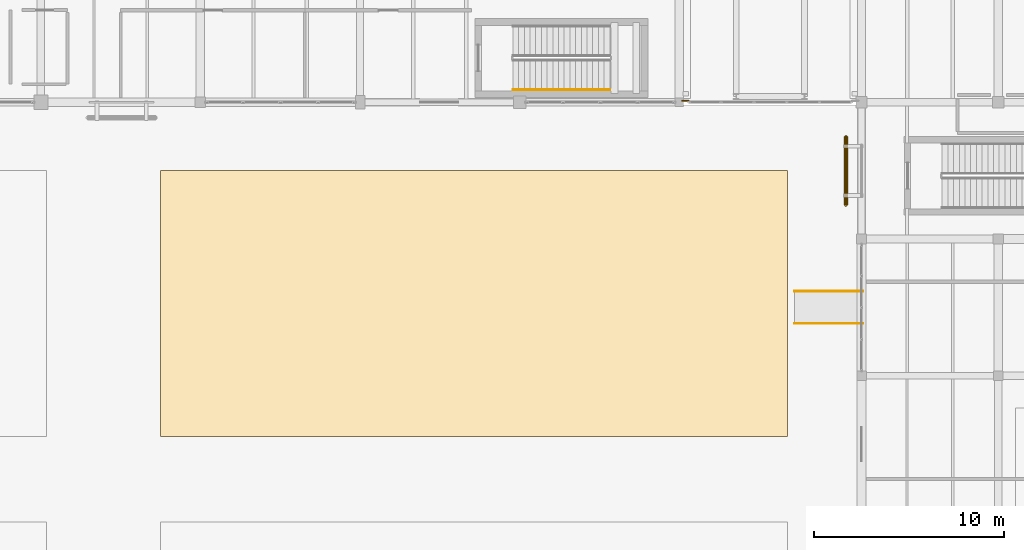
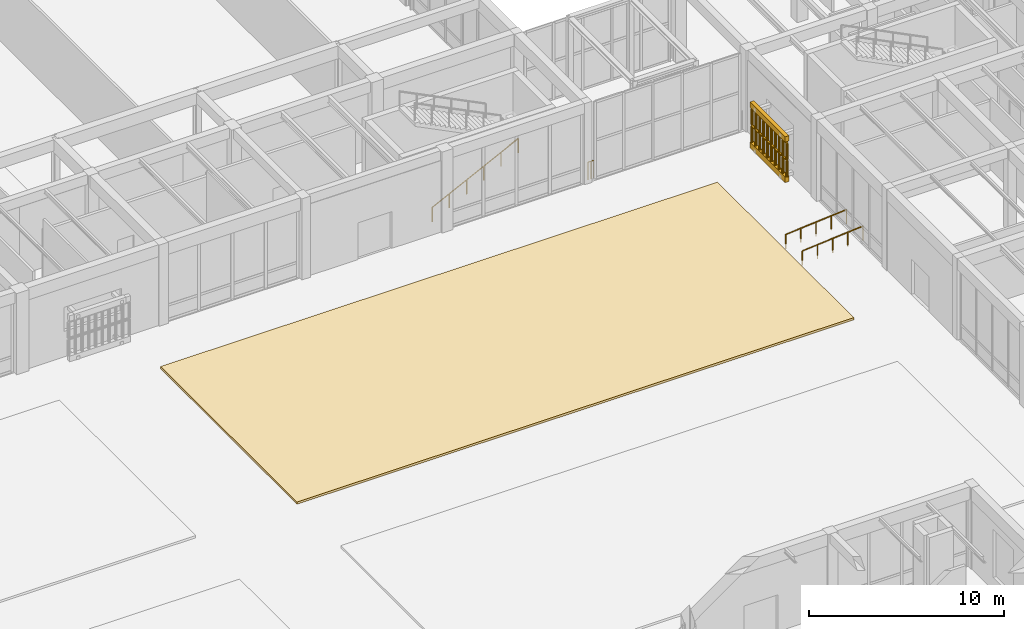
# One storey, part 157 of 169: 6 railings, 3 coverings.
"""IFC4 building model written with IfcOpenShell, lengths in metres."""

from ifc_helpers import new_model, si_unit, direction, frame, origin, origin_2d, place, context, subcontext, project, spatial, polyline, circle, outline, extrude, material, layer, layer_set, type_object, element, save


model = new_model("IFC4")

# Units and contexts
model_context = context("Model", 3, precision=1e-05, world=origin(), true_north=direction((0.0, 1.0)))
body_context = subcontext(model_context, "Body", "Model", "MODEL_VIEW")
ifc_project = project(units=[si_unit("LENGTHUNIT", "METRE"), si_unit("AREAUNIT", "SQUARE_METRE"), si_unit("VOLUMEUNIT", "CUBIC_METRE"), si_unit("PLANEANGLEUNIT", "RADIAN"), si_unit("MASSUNIT", "GRAM", prefix="KILO")], contexts=[model_context])

# Site, building, storey
site_placement = place(None, origin())
site = spatial("IfcSite", under=ifc_project, at=site_placement, CompositionType="ELEMENT")
building_placement = place(site_placement, origin())
building = spatial("IfcBuilding", under=site, at=building_placement, Name="Mazaris Harbour Polytechnic", CompositionType="ELEMENT")
storey_placement = place(building_placement, origin())
storey = spatial("IfcBuildingStorey", under=building, at=storey_placement, Name="L00", CompositionType="ELEMENT", Elevation=0.0)

# Railings
ifc_material_1 = material(Name="Stainless Steel S355", Category="steel")
railing_type_1 = type_object("IfcRailingType", Name="Accessible Ramp Handrail 900", PredefinedType="HANDRAIL", material=ifc_material_1)
for number, where, name in (
    (1, (118.8798828125, 65.64990234375, -0.300048828125), "RAMP-04 Handrail L"),
    (2, (118.8798828125, 63.949951171875, -0.300048828125), "RAMP-04 Handrail R"),
):
    element("IfcRailing", number, at=place(storey_placement, frame(where)), inside=storey, type_object=railing_type_1, Name=name, PredefinedType="HANDRAIL", context=body_context, shape_type="SweptSolid", body=[
        extrude(circle(Radius=0.02392578125, at=origin_2d()), frame((0.0, 0.0, 0.8759765625), z_axis=(0.996544826035, 0.0, 0.083056665618), x_axis=(0.0, 1.0, 0.0)), (0.0, 0.0, 1.0), 3.612548828125),
        extrude(circle(Radius=0.02099609375, at=origin_2d()), origin(), (0.0, 0.0, 1.0), 0.851806640625),
        extrude(circle(Radius=0.02099609375, at=origin_2d()), frame((0.89990234375, 0.0, 0.074951171875)), (0.0, 0.0, 1.0), 0.851806640625),
        extrude(circle(Radius=0.02099609375, at=origin_2d()), frame((1.800048828125, 0.0, 0.14990234375)), (0.0, 0.0, 1.0), 0.851806640625),
        extrude(circle(Radius=0.02099609375, at=origin_2d()), frame((2.7001953125, 0.0, 0.22509765625)), (0.0, 0.0, 1.0), 0.851806640625),
        extrude(circle(Radius=0.02099609375, at=origin_2d()), frame((3.60009765625, 0.0, 0.300048828125)), (0.0, 0.0, 1.0), 0.851806640625),
    ])
ifc_material_2 = material(Name="Steel S355", Category="steel")
railing_type_2 = type_object("IfcRailingType", Name="Mezzanine Steel Guardrail 1100 Exterior", PredefinedType="GUARDRAIL", material=ifc_material_2)
railing_1_placement = place(storey_placement, frame((112.949951171875, 75.679931640625, 0.0)))
element("IfcRailing", 3, at=railing_1_placement, inside=storey, type_object=railing_type_2, Name="PB-E2 L00 Bridge End Guard W0", PredefinedType="GUARDRAIL", context=body_context, shape_type="SweptSolid", body=[
    extrude(circle(Radius=0.02392578125, at=origin_2d()), frame((0.0, 0.0, 1.09619140625), z_axis=(1.0, 0.0, 0.0), x_axis=(0.0, 1.0, 0.0)), (0.0, 0.0, 1.0), 0.35009765625),
    extrude(circle(Radius=0.02099609375, at=origin_2d()), origin(), (0.0, 0.0, 1.0), 1.072021484375),
    extrude(circle(Radius=0.02099609375, at=origin_2d()), frame((0.175048828125, 0.0, 0.0)), (0.0, 0.0, 1.0), 1.072021484375),
    extrude(circle(Radius=0.02099609375, at=origin_2d()), frame((0.35009765625, 0.0, 0.0)), (0.0, 0.0, 1.0), 1.072021484375),
])
ifc_material_3 = material(Name="Perforated Earth-Coloured Terracotta Block", Category="masonry")
railing_type_3 = type_object("IfcRailingType", Name="Perforated Earth-Block Claustra Lattice 1040", PredefinedType="BALUSTRADE", material=ifc_material_3)
for number, where, name in (
    (4, (121.580078125, 70.1875, 0.52001953125), "V5 L00 Lower Perforated Terracotta Block Screen 360"),
    (5, (121.580078125, 70.1875, 1.610107421875), "V5 L00 Upper Perforated Terracotta Block Screen 360"),
):
    element("IfcRailing", number, at=place(storey_placement, frame(where)), inside=storey, type_object=railing_type_3, Name=name, PredefinedType="BALUSTRADE", context=body_context, shape_type="SweptSolid", body=[
        extrude(circle(Radius=0.06982421875, at=origin_2d()), frame((0.0, 0.0, 1.02001953125), z_axis=(0.0, 1.0, 0.0), x_axis=(-1.0, 0.0, 0.0)), (0.0, 0.0, 1.0), 3.60009765625),
        extrude(circle(Radius=0.074951171875, at=origin_2d()), origin(), (0.0, 0.0, 1.0), 0.9501953125),
        extrude(circle(Radius=0.074951171875, at=origin_2d()), frame((0.0, 0.39990234375, 0.0)), (0.0, 0.0, 1.0), 0.9501953125),
        extrude(circle(Radius=0.074951171875, at=origin_2d()), frame((0.0, 0.800048828125, 0.0)), (0.0, 0.0, 1.0), 0.9501953125),
        extrude(circle(Radius=0.074951171875, at=origin_2d()), frame((0.0, 1.199951171875, 0.0)), (0.0, 0.0, 1.0), 0.9501953125),
        extrude(circle(Radius=0.074951171875, at=origin_2d()), frame((0.0, 1.60009765625, 0.0)), (0.0, 0.0, 1.0), 0.9501953125),
        extrude(circle(Radius=0.074951171875, at=origin_2d()), frame((0.0, 2.0, 0.0)), (0.0, 0.0, 1.0), 0.9501953125),
        extrude(circle(Radius=0.074951171875, at=origin_2d()), frame((0.0, 2.400146484375, 0.0)), (0.0, 0.0, 1.0), 0.9501953125),
        extrude(circle(Radius=0.074951171875, at=origin_2d()), frame((0.0, 2.800048828125, 0.0)), (0.0, 0.0, 1.0), 0.9501953125),
        extrude(circle(Radius=0.074951171875, at=origin_2d()), frame((0.0, 3.2001953125, 0.0)), (0.0, 0.0, 1.0), 0.9501953125),
        extrude(circle(Radius=0.074951171875, at=origin_2d()), frame((0.0, 3.60009765625, 0.0)), (0.0, 0.0, 1.0), 0.9501953125),
    ])
ifc_material_4 = material(Name="Stainless Steel S355", Category="steel")
railing_type_4 = type_object("IfcRailingType", Name="Stair Wall Handrail 900", PredefinedType="HANDRAIL", material=ifc_material_4)
railing_2_placement = place(storey_placement, frame((104.050048828125, 76.25, 0.14990234375)))
element("IfcRailing", 6, at=railing_2_placement, inside=storey, type_object=railing_type_4, Name="L00 ST02 stair handrail 1", PredefinedType="HANDRAIL", context=body_context, shape_type="SweptSolid", body=[
    extrude(circle(Radius=0.02392578125, at=origin_2d()), frame((0.0, 0.0, 0.8759765625), z_axis=(0.894418627299, 0.0, 0.447230722492), x_axis=(0.0, 1.0, 0.0)), (0.0, 0.0, 1.0), 5.701904296875),
    extrude(circle(Radius=0.02099609375, at=origin_2d()), origin(), (0.0, 0.0, 1.0), 0.851806640625),
    extrude(circle(Radius=0.02099609375, at=origin_2d()), frame((1.02001953125, 0.0, 0.510009765625)), (0.0, 0.0, 1.0), 0.851806640625),
    extrude(circle(Radius=0.02099609375, at=origin_2d()), frame((2.0400390625, 0.0, 1.02001953125)), (0.0, 0.0, 1.0), 0.851806640625),
    extrude(circle(Radius=0.02099609375, at=origin_2d()), frame((3.059814453125, 0.0, 1.530029296875)), (0.0, 0.0, 1.0), 0.851806640625),
    extrude(circle(Radius=0.02099609375, at=origin_2d()), frame((4.079833984375, 0.0, 2.0400390625)), (0.0, 0.0, 1.0), 0.851806640625),
    extrude(circle(Radius=0.02099609375, at=origin_2d()), frame((5.099853515625, 0.0, 2.550048828125)), (0.0, 0.0, 1.0), 0.851806640625),
])

# Coverings
ifc_material_5 = material(Name="Patinated Standing-Seam Zinc")
ifc_layer_1 = layer(ifc_material_5, 0.044921875, Name="Patinated Standing-Seam Zinc")
ifc_layer_set_1 = layer_set([ifc_layer_1], Name="Patinated Standing-Seam Zinc")
covering_type_1 = type_object("IfcCoveringType", Name="Standing-Seam Zinc Roof Covering 45", PredefinedType="ROOFING", material=ifc_layer_set_1)
covering_1_placement = place(storey_placement, origin())
element("IfcCovering", 7, at=covering_1_placement, inside=storey, type_object=covering_type_1, Name="Covering COV-CRT-04", PredefinedType="ROOFING", context=body_context, shape_type="SweptSolid", body=[
    extrude(outline(polyline([(85.5, 58.0), (118.5, 58.0), (118.5, 72.0), (85.5, 72.0), (85.5, 58.0)])), origin(), (0.0, 0.0, 1.0), 0.139892578125),
])
ifc_material_6 = material(Name="Perforated Earth-Coloured Terracotta Block", Category="masonry")
ifc_layer_2 = layer(ifc_material_6, 0.219970703125, Name="Perforated Earth-Coloured Terracotta Block")
ifc_layer_set_2 = layer_set([ifc_layer_2], Name="Perforated Earth-Coloured Terracotta Block")
covering_type_2 = type_object("IfcCoveringType", Name="Terracotta Screen Course Cladding 220", PredefinedType="CLADDING", material=ifc_layer_set_2)
covering_2_placement = place(storey_placement, frame((0.0, 0.0, 0.159912109375)))
element("IfcCovering", 8, at=covering_2_placement, inside=storey, type_object=covering_type_2, Name="V5 L00 Perforated Screen Sill Course 360", PredefinedType="CLADDING", context=body_context, shape_type="SweptSolid", body=[
    extrude(outline(polyline([(121.68994140625, 70.1875), (121.68994140625, 73.78759765625), (121.469970703125, 73.78759765625), (121.469970703125, 70.1875), (121.68994140625, 70.1875)])), origin(), (0.0, 0.0, 1.0), 0.360107421875),
])
covering_3_placement = place(storey_placement, frame((0.0, 0.0, 2.699951171875)))
element("IfcCovering", 9, at=covering_3_placement, inside=storey, type_object=covering_type_2, Name="V5 L00 Perforated Screen Lintel Course 360", PredefinedType="CLADDING", context=body_context, shape_type="SweptSolid", body=[
    extrude(outline(polyline([(121.68994140625, 70.1875), (121.68994140625, 73.78759765625), (121.469970703125, 73.78759765625), (121.469970703125, 70.1875), (121.68994140625, 70.1875)])), origin(), (0.0, 0.0, 1.0), 0.340087890625),
])

save(model, "model.ifc")
